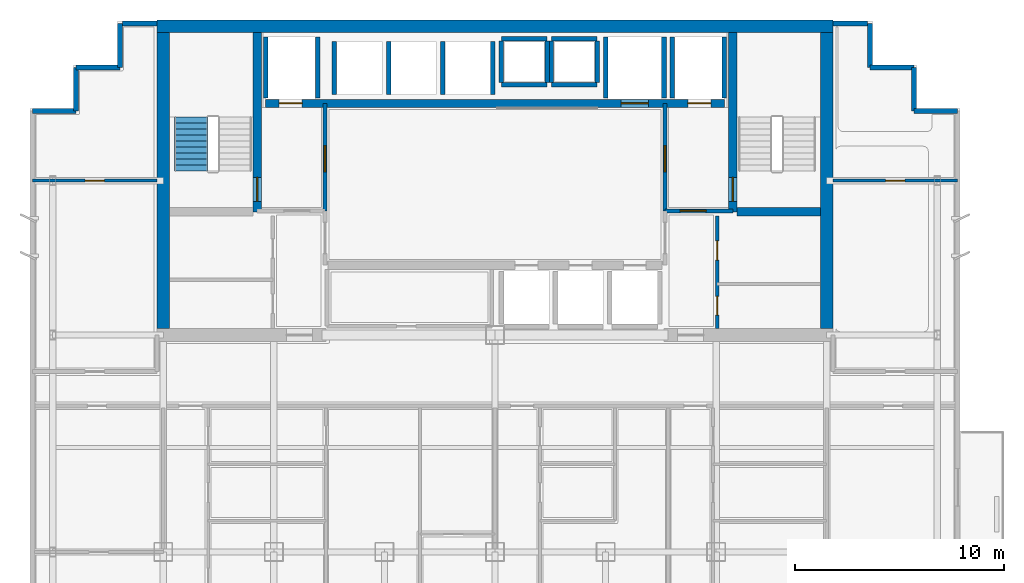
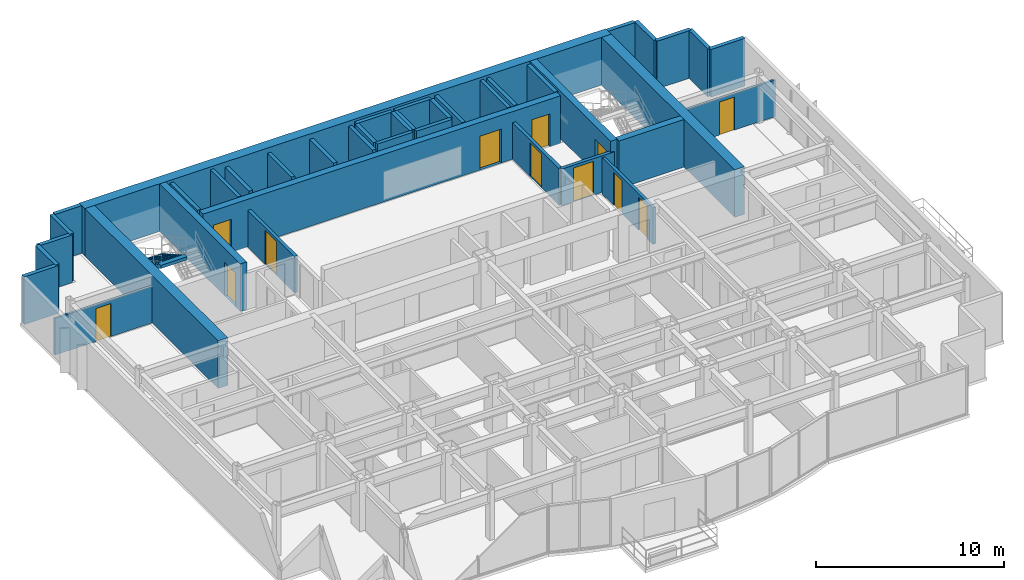
# One storey, part 8 of 11: 41 walls, 12 doors, 1 stair flight, 12 openings, 1 element without a shape of its own.
"""IFC4 building model written with IfcOpenShell, lengths in metres."""

from ifc_helpers import new_model, si_unit, direction, frame, frame_2d, origin, place, context, subcontext, project, spatial, polyline, rectangle, outline, extrude, material, layer, layer_set, type_object, element, fill, aggregate, save


model = new_model("IFC4")

# Units and contexts
model_context = context("Model", 3, precision=1e-05, world=origin(), true_north=direction((0.0, 1.0)))
body_context = subcontext(model_context, "Body", "Model", "MODEL_VIEW")
ifc_project = project(units=[si_unit("LENGTHUNIT", "METRE"), si_unit("AREAUNIT", "SQUARE_METRE"), si_unit("VOLUMEUNIT", "CUBIC_METRE"), si_unit("PLANEANGLEUNIT", "RADIAN"), si_unit("MASSUNIT", "GRAM", prefix="KILO")], contexts=[model_context])

# Site, building, storey
site_placement = place(None, origin())
site = spatial("IfcSite", under=ifc_project, at=site_placement, CompositionType="ELEMENT")
building_placement = place(site_placement, origin())
building = spatial("IfcBuilding", under=site, at=building_placement, Name="Qianlan Lanfeng Residences", CompositionType="ELEMENT")
storey_placement = place(building_placement, frame((0.0, 0.0, 149.10009765625)))
storey = spatial("IfcBuildingStorey", under=building, at=storey_placement, Name="L40", CompositionType="ELEMENT", Elevation=149.10009765625)

# Wall, opening, door
ifc_material_1 = material(Name="Concrete C56", Category="concrete")
ifc_layer_1 = layer(ifc_material_1, 0.39990234375)
ifc_layer_set_1 = layer_set([ifc_layer_1], Name="Concrete C56")
wall_type_1 = type_object("IfcWallType", Name="CW-RC-400", PredefinedType="SHEAR", material=ifc_layer_set_1)
wall_1_placement = place(storey_placement, frame((15.10009765625, 31.10009765625, 0.0), z_axis=(0.0, 0.0, 1.0), x_axis=(0.0, 1.0, 0.0)))
wall_1 = element("IfcWall", 1, at=wall_1_placement, inside=storey, type_object=wall_type_1, Name="L40 Core Shear Wall ST1E", PredefinedType="SHEAR", context=body_context, shape_type="SweptSolid", body=[
    extrude(rectangle(XDim=8.599853515625, YDim=0.39990234375, at=frame_2d((4.2998046875, 0.0))), origin(), (0.0, 0.0, 1.0), 3.099853515625),
])
opening_1_placement = place(wall_1_placement, frame((0.510009765625, 0.0, 0.0)))
opening_1 = element("IfcOpeningElement", 2, at=opening_1_placement, cuts=wall_1, Name="Opening L40-D07", PredefinedType="OPENING", context=body_context, shape_type="SweptSolid", body=[
    extrude(rectangle(XDim=1.14990234375, YDim=2.199951171875, at=frame_2d((0.574951171875, 1.10009765625))), frame((0.0, 0.2099609375, 0.0), z_axis=(0.0, -1.0, 0.0), x_axis=(1.0, 0.0, 0.0)), (0.0, 0.0, 1.0), 0.419921875),
])
ifc_material_2 = material(Name="Painted Galvanised Steel Fire Door", Category="steel")
door_type_1 = type_object("IfcDoorType", Name="DT-ST1", OperationType="NOTDEFINED", PredefinedType="DOOR", material=ifc_material_2)
door_1_placement = place(opening_1_placement, frame((1.14990234375, 0.0, 0.0), z_axis=(0.0, 0.0, 1.0), x_axis=(-1.0, 0.0, 0.0)))
door_1 = element("IfcDoor", 3, at=door_1_placement, inside=storey, type_object=door_type_1, Name="L40 Exit Stair ST-1 Door L40-D07 (DT-ST1)", OperationType="SINGLE_SWING_RIGHT", OverallHeight=2.199951171875, OverallWidth=1.14990234375, PredefinedType="DOOR", context=body_context, shape_type="SweptSolid", body=[
    extrude(rectangle(XDim=1.14990234375, YDim=2.199951171875, at=frame_2d((0.574951171875, 1.10009765625))), frame((0.0, 0.02490234375, 0.0), z_axis=(0.0, -1.0, 0.0), x_axis=(1.0, 0.0, 0.0)), (0.0, 0.0, 1.0), 0.050048828125),
])
fill(opening_1, door_1)

wall_2_placement = place(storey_placement, frame((37.89990234375, 31.10009765625, 0.0), z_axis=(0.0, 0.0, 1.0), x_axis=(0.0, 1.0, 0.0)))
wall_2 = element("IfcWall", 4, at=wall_2_placement, inside=storey, type_object=wall_type_1, Name="L40 Core Shear Wall ST2W", PredefinedType="SHEAR", context=body_context, shape_type="SweptSolid", body=[
    extrude(rectangle(XDim=8.599853515625, YDim=0.39990234375, at=frame_2d((4.2998046875, 0.0))), origin(), (0.0, 0.0, 1.0), 3.099853515625),
])
opening_2_placement = place(wall_2_placement, frame((0.510009765625, 0.0, 0.0)))
opening_2 = element("IfcOpeningElement", 5, at=opening_2_placement, cuts=wall_2, Name="Opening L40-D08", PredefinedType="OPENING", context=body_context, shape_type="SweptSolid", body=[
    extrude(rectangle(XDim=1.14990234375, YDim=2.199951171875, at=frame_2d((0.574951171875, 1.10009765625))), frame((0.0, 0.2099609375, 0.0), z_axis=(0.0, -1.0, 0.0), x_axis=(1.0, 0.0, 0.0)), (0.0, 0.0, 1.0), 0.419921875),
])
door_2_placement = place(opening_2_placement, origin())
door_2 = element("IfcDoor", 6, at=door_2_placement, inside=storey, type_object=door_type_1, Name="L40 Exit Stair ST-2 Door L40-D08 (DT-ST1)", OperationType="SINGLE_SWING_RIGHT", OverallHeight=2.199951171875, OverallWidth=1.14990234375, PredefinedType="DOOR", context=body_context, shape_type="SweptSolid", body=[
    extrude(rectangle(XDim=1.14990234375, YDim=2.199951171875, at=frame_2d((0.574951171875, 1.10009765625))), frame((0.0, 0.02490234375, 0.0), z_axis=(0.0, -1.0, 0.0), x_axis=(1.0, 0.0, 0.0)), (0.0, 0.0, 1.0), 0.050048828125),
])
fill(opening_2, door_2)

# Wall
wall_3_placement = place(storey_placement, frame((38.10009765625, 31.10009765625, 0.0), z_axis=(0.0, 0.0, 1.0), x_axis=(1.0, 0.0, 0.0)))
element("IfcWall", 7, at=wall_3_placement, inside=storey, type_object=wall_type_1, Name="L40 Core Shear Wall ST2S", PredefinedType="SHEAR", context=body_context, shape_type="SweptSolid", body=[
    extrude(rectangle(XDim=4.0, YDim=0.39990234375, at=frame_2d((2.0, 0.0))), origin(), (0.0, 0.0, 1.0), 3.099853515625),
])

# Wall, openings, doors
wall_4_placement = place(storey_placement, frame((15.5, 36.300048828125, 0.0), z_axis=(0.0, 0.0, 1.0), x_axis=(1.0, 0.0, 0.0)))
wall_4 = element("IfcWall", 8, at=wall_4_placement, inside=storey, type_object=wall_type_1, Name="L40 Core Shear Wall LBN", PredefinedType="SHEAR", context=body_context, shape_type="SweptSolid", body=[
    extrude(rectangle(XDim=22.0, YDim=0.39990234375, at=frame_2d((11.0, 0.0))), origin(), (0.0, 0.0, 1.0), 3.099853515625),
])
opening_3_placement = place(wall_4_placement, frame((0.64990234375, 0.0, 0.0)))
opening_3 = element("IfcOpeningElement", 9, at=opening_3_placement, cuts=wall_4, Name="Opening L40-LD-FFL-1", PredefinedType="OPENING", context=body_context, shape_type="SweptSolid", body=[
    extrude(rectangle(XDim=1.10009765625, YDim=2.14990234375, at=frame_2d((0.550048828125, 1.074951171875))), frame((0.0, 0.2099609375, 0.0), z_axis=(0.0, -1.0, 0.0), x_axis=(1.0, 0.0, 0.0)), (0.0, 0.0, 1.0), 0.419921875),
])
opening_4_placement = place(wall_4_placement, frame((20.25, 0.0, 0.0)))
opening_4 = element("IfcOpeningElement", 10, at=opening_4_placement, cuts=wall_4, Name="Opening L40-LD-FFL-2", PredefinedType="OPENING", context=body_context, shape_type="SweptSolid", body=[
    extrude(rectangle(XDim=1.10009765625, YDim=2.14990234375, at=frame_2d((0.550048828125, 1.074951171875))), frame((0.0, 0.2099609375, 0.0), z_axis=(0.0, -1.0, 0.0), x_axis=(1.0, 0.0, 0.0)), (0.0, 0.0, 1.0), 0.419921875),
])
opening_5_placement = place(wall_4_placement, frame((17.050048828125, 0.0, 0.0)))
opening_5 = element("IfcOpeningElement", 11, at=opening_5_placement, cuts=wall_4, Name="Opening L40-LD-SVL-1", PredefinedType="OPENING", context=body_context, shape_type="SweptSolid", body=[
    extrude(rectangle(XDim=1.300048828125, YDim=2.199951171875, at=frame_2d((0.64990234375, 1.10009765625))), frame((0.0, 0.2099609375, 0.0), z_axis=(0.0, -1.0, 0.0), x_axis=(1.0, 0.0, 0.0)), (0.0, 0.0, 1.0), 0.419921875),
])
ifc_material_3 = material(Name="Brushed Stainless Steel Sliding Lift Door", Category="steel")
door_type_2 = type_object("IfcDoorType", Name="LD-01", OperationType="NOTDEFINED", PredefinedType="DOOR", material=ifc_material_3)
door_3_placement = place(opening_3_placement, frame((1.10009765625, 0.0, 0.0), z_axis=(0.0, 0.0, 1.0), x_axis=(-1.0, 0.0, 0.0)))
door_3 = element("IfcDoor", 12, at=door_3_placement, inside=storey, type_object=door_type_2, Name="L40 Elevator FFL-1 Sliding Landing Door", OperationType="DOUBLE_DOOR_SLIDING", OverallHeight=2.14990234375, OverallWidth=1.10009765625, PredefinedType="DOOR", context=body_context, shape_type="SweptSolid", body=[
    extrude(rectangle(XDim=1.10009765625, YDim=2.14990234375, at=frame_2d((0.550048828125, 1.074951171875))), frame((0.0, 0.02490234375, 0.0), z_axis=(0.0, -1.0, 0.0), x_axis=(1.0, 0.0, 0.0)), (0.0, 0.0, 1.0), 0.050048828125),
])
fill(opening_3, door_3)
door_4_placement = place(opening_4_placement, frame((1.10009765625, 0.0, 0.0), z_axis=(0.0, 0.0, 1.0), x_axis=(-1.0, 0.0, 0.0)))
door_4 = element("IfcDoor", 13, at=door_4_placement, inside=storey, type_object=door_type_2, Name="L40 Elevator FFL-2 Sliding Landing Door", OperationType="DOUBLE_DOOR_SLIDING", OverallHeight=2.14990234375, OverallWidth=1.10009765625, PredefinedType="DOOR", context=body_context, shape_type="SweptSolid", body=[
    extrude(rectangle(XDim=1.10009765625, YDim=2.14990234375, at=frame_2d((0.550048828125, 1.074951171875))), frame((0.0, 0.02490234375, 0.0), z_axis=(0.0, -1.0, 0.0), x_axis=(1.0, 0.0, 0.0)), (0.0, 0.0, 1.0), 0.050048828125),
])
fill(opening_4, door_4)
door_type_3 = type_object("IfcDoorType", Name="LD-02", OperationType="NOTDEFINED", PredefinedType="DOOR", material=ifc_material_3)
door_5_placement = place(opening_5_placement, frame((1.300048828125, 0.0, 0.0), z_axis=(0.0, 0.0, 1.0), x_axis=(-1.0, 0.0, 0.0)))
door_5 = element("IfcDoor", 14, at=door_5_placement, inside=storey, type_object=door_type_3, Name="L40 Elevator SVL-1 Sliding Landing Door", OperationType="DOUBLE_DOOR_SLIDING", OverallHeight=2.199951171875, OverallWidth=1.300048828125, PredefinedType="DOOR", context=body_context, shape_type="SweptSolid", body=[
    extrude(rectangle(XDim=1.300048828125, YDim=2.199951171875, at=frame_2d((0.64990234375, 1.10009765625))), frame((0.0, 0.02490234375, 0.0), z_axis=(0.0, -1.0, 0.0), x_axis=(1.0, 0.0, 0.0)), (0.0, 0.0, 1.0), 0.050048828125),
])
fill(opening_5, door_5)

# Walls
ifc_layer_2 = layer(ifc_material_1, 0.60009765625)
ifc_layer_set_2 = layer_set([ifc_layer_2], Name="Concrete C56")
wall_type_2 = type_object("IfcWallType", Name="CW-RC-600", PredefinedType="SHEAR", material=ifc_layer_set_2)
wall_5_placement = place(storey_placement, frame((10.300048828125, 40.0, 0.0), z_axis=(0.0, 0.0, 1.0), x_axis=(1.0, 0.0, 0.0)))
element("IfcWall", 15, at=wall_5_placement, inside=storey, type_object=wall_type_2, Name="L40 Core Shear Wall N", PredefinedType="SHEAR", context=body_context, shape_type="SweptSolid", body=[
    extrude(rectangle(XDim=32.39990234375, YDim=0.60009765625, at=frame_2d((16.199951171875, 0.0))), origin(), (0.0, 0.0, 1.0), 3.099853515625),
])
for number, where, z_axis, x_axis, name in (
    (16, (10.60009765625, 25.5, 0.0), (0.0, 0.0, 1.0), (0.0, 1.0, 0.0), "L40 Core Shear Wall W"),
    (17, (42.39990234375, 25.5, 0.0), (0.0, 0.0, 1.0), (0.0, 1.0, 0.0), "L40 Core Shear Wall E"),
):
    element("IfcWall", number, at=place(storey_placement, frame(where, z_axis=z_axis, x_axis=x_axis)), inside=storey, type_object=wall_type_2, Name=name, PredefinedType="SHEAR", context=body_context, shape_type="SweptSolid", body=[
        extrude(rectangle(XDim=14.199951171875, YDim=0.60009765625, at=frame_2d((7.10009765625, 0.0))), origin(), (0.0, 0.0, 1.0), 3.099853515625),
    ])
ifc_material_4 = material(Name="Concrete C42", Category="concrete")
ifc_layer_3 = layer(ifc_material_4, 0.239990234375)
ifc_layer_set_3 = layer_set([ifc_layer_3], Name="Concrete C42")
wall_type_3 = type_object("IfcWallType", Name="EW-240", PredefinedType="SOLIDWALL", material=ifc_layer_set_3)
wall_6_placement = place(storey_placement, frame((48.679931640625, 35.929931640625, 0.0), z_axis=(0.0, 0.0, 1.0), x_axis=(-1.0, 0.0, 0.0)))
element("IfcWall", 18, at=wall_6_placement, inside=storey, type_object=wall_type_3, Name="L40 Exterior Facade Spandrel Wall 11", PredefinedType="SOLIDWALL", context=body_context, shape_type="SweptSolid", body=[
    extrude(rectangle(XDim=2.099853515625, YDim=0.239990234375, at=frame_2d((1.0498046875, 0.0))), origin(), (0.0, 0.0, 1.0), 3.099853515625),
])
for number, where, z_axis, x_axis, name in (
    (19, (46.580078125, 35.929931640625, 0.0), (0.0, 0.0, 1.0), (0.0, 1.0, 0.0), "L40 Exterior Facade Spandrel Wall 12"),
    (20, (46.580078125, 38.030029296875, 0.0), (0.0, 0.0, 1.0), (-1.0, 0.0, 0.0), "L40 Exterior Facade Spandrel Wall 13"),
):
    element("IfcWall", number, at=place(storey_placement, frame(where, z_axis=z_axis, x_axis=x_axis)), inside=storey, type_object=wall_type_3, Name=name, PredefinedType="SOLIDWALL", context=body_context, shape_type="SweptSolid", body=[
        extrude(rectangle(XDim=2.10009765625, YDim=0.239990234375, at=frame_2d((1.050048828125, 0.0))), origin(), (0.0, 0.0, 1.0), 3.099853515625),
    ])
wall_7_placement = place(storey_placement, frame((44.47998046875, 38.030029296875, 0.0), z_axis=(0.0, 0.0, 1.0), x_axis=(0.0, 1.0, 0.0)))
element("IfcWall", 21, at=wall_7_placement, inside=storey, type_object=wall_type_3, Name="L40 Exterior Facade Spandrel Wall 14", PredefinedType="SOLIDWALL", context=body_context, shape_type="SweptSolid", body=[
    extrude(rectangle(XDim=2.099853515625, YDim=0.239990234375, at=frame_2d((1.0498046875, 0.0))), origin(), (0.0, 0.0, 1.0), 3.099853515625),
])
for number, where, z_axis, x_axis, name in (
    (22, (44.35009765625, 40.1298828125, 0.0), (0.0, 0.0, 1.0), (-1.0, 0.0, 0.0), "L40 North Wing Exterior Wall E"),
    (23, (10.300048828125, 40.1298828125, 0.0), (0.0, 0.0, 1.0), (-1.0, 0.0, 0.0), "L40 North Wing Exterior Wall W"),
):
    element("IfcWall", number, at=place(storey_placement, frame(where, z_axis=z_axis, x_axis=x_axis)), inside=storey, type_object=wall_type_3, Name=name, PredefinedType="SOLIDWALL", context=body_context, shape_type="SweptSolid", body=[
        extrude(rectangle(XDim=1.650146484375, YDim=0.239990234375, at=frame_2d((0.8251953125, 0.0))), origin(), (0.0, 0.0, 1.0), 3.099853515625),
    ])
wall_8_placement = place(storey_placement, frame((8.52001953125, 40.1298828125, 0.0), z_axis=(0.0, 0.0, 1.0), x_axis=(0.0, -1.0, 0.0)))
element("IfcWall", 24, at=wall_8_placement, inside=storey, type_object=wall_type_3, Name="L40 Exterior Facade Spandrel Wall 17", PredefinedType="SOLIDWALL", context=body_context, shape_type="SweptSolid", body=[
    extrude(rectangle(XDim=2.099853515625, YDim=0.239990234375, at=frame_2d((1.0498046875, 0.0))), origin(), (0.0, 0.0, 1.0), 3.099853515625),
])
for number, where, z_axis, x_axis, name in (
    (25, (8.52001953125, 38.030029296875, 0.0), (0.0, 0.0, 1.0), (-1.0, 0.0, 0.0), "L40 Exterior Facade Spandrel Wall 18"),
    (26, (6.419921875, 38.030029296875, 0.0), (0.0, 0.0, 1.0), (0.0, -1.0, 0.0), "L40 Exterior Facade Spandrel Wall 19"),
):
    element("IfcWall", number, at=place(storey_placement, frame(where, z_axis=z_axis, x_axis=x_axis)), inside=storey, type_object=wall_type_3, Name=name, PredefinedType="SOLIDWALL", context=body_context, shape_type="SweptSolid", body=[
        extrude(rectangle(XDim=2.10009765625, YDim=0.239990234375, at=frame_2d((1.050048828125, 0.0))), origin(), (0.0, 0.0, 1.0), 3.099853515625),
    ])
wall_9_placement = place(storey_placement, frame((6.419921875, 35.929931640625, 0.0), z_axis=(0.0, 0.0, 1.0), x_axis=(-1.0, 0.0, 0.0)))
element("IfcWall", 27, at=wall_9_placement, inside=storey, type_object=wall_type_3, Name="L40 Exterior Facade Spandrel Wall 20", PredefinedType="SOLIDWALL", context=body_context, shape_type="SweptSolid", body=[
    extrude(rectangle(XDim=2.099853515625, YDim=0.239990234375, at=frame_2d((1.0498046875, 0.0))), origin(), (0.0, 0.0, 1.0), 3.099853515625),
])

# Wall, opening, door
ifc_material_5 = material(Name="Moisture-Resistant Gypsum Partition 135 mm")
ifc_layer_4 = layer(ifc_material_5, 0.135009765625)
ifc_layer_set_4 = layer_set([ifc_layer_4], Name="Moisture-Resistant Gypsum Partition 135 mm")
wall_type_4 = type_object("IfcWallType", Name="PW-135", PredefinedType="PARTITIONING", material=ifc_layer_set_4)
wall_10_placement = place(storey_placement, frame((4.320068359375, 32.60009765625, 0.0), z_axis=(0.0, 0.0, 1.0), x_axis=(1.0, 0.0, 0.0)))
wall_10 = element("IfcWall", 28, at=wall_10_placement, inside=storey, type_object=wall_type_4, Name="L40 WW North Wing Wall", PredefinedType="PARTITIONING", context=body_context, shape_type="SweptSolid", body=[
    extrude(rectangle(XDim=5.97998046875, YDim=0.135009765625, at=frame_2d((2.989990234375, 0.0))), origin(), (0.0, 0.0, 1.0), 2.3798828125),
])
opening_6_placement = place(wall_10_placement, frame((2.530029296875, 0.0, 0.0)))
opening_6 = element("IfcOpeningElement", 29, at=opening_6_placement, cuts=wall_10, Name="Opening L40-D40", PredefinedType="OPENING", context=body_context, shape_type="SweptSolid", body=[
    extrude(rectangle(XDim=0.919921875, YDim=2.14990234375, at=frame_2d((0.4599609375, 1.074951171875))), frame((0.0, 0.07763671875, 0.0), z_axis=(0.0, -1.0, 0.0), x_axis=(1.0, 0.0, 0.0)), (0.0, 0.0, 1.0), 0.155029296875),
])
ifc_material_6 = material(Name="Glazed Timber Kitchen/Study Door", Category="wood")
door_type_4 = type_object("IfcDoorType", Name="DT-INT", OperationType="NOTDEFINED", PredefinedType="DOOR", material=ifc_material_6)
door_6_placement = place(opening_6_placement, origin())
door_6 = element("IfcDoor", 30, at=door_6_placement, inside=storey, type_object=door_type_4, Name="L40 WW Inner Salon Door L40-D40 (DT-INT)", OperationType="SINGLE_SWING_RIGHT", OverallHeight=2.14990234375, OverallWidth=0.919921875, PredefinedType="DOOR", context=body_context, shape_type="SweptSolid", body=[
    extrude(rectangle(XDim=0.919921875, YDim=2.14990234375, at=frame_2d((0.4599609375, 1.074951171875))), frame((0.0, 0.02490234375, 0.0), z_axis=(0.0, -1.0, 0.0), x_axis=(1.0, 0.0, 0.0)), (0.0, 0.0, 1.0), 0.050048828125),
])
fill(opening_6, door_6)

wall_11_placement = place(storey_placement, frame((42.699951171875, 32.60009765625, 0.0), z_axis=(0.0, 0.0, 1.0), x_axis=(1.0, 0.0, 0.0)))
wall_11 = element("IfcWall", 31, at=wall_11_placement, inside=storey, type_object=wall_type_4, Name="L40 EW North Wing Wall", PredefinedType="PARTITIONING", context=body_context, shape_type="SweptSolid", body=[
    extrude(rectangle(XDim=5.97998046875, YDim=0.135009765625, at=frame_2d((2.989990234375, 0.0))), origin(), (0.0, 0.0, 1.0), 2.3798828125),
])
opening_7_placement = place(wall_11_placement, frame((2.530029296875, 0.0, 0.0)))
opening_7 = element("IfcOpeningElement", 32, at=opening_7_placement, cuts=wall_11, Name="Opening L40-D42", PredefinedType="OPENING", context=body_context, shape_type="SweptSolid", body=[
    extrude(rectangle(XDim=0.919921875, YDim=2.14990234375, at=frame_2d((0.4599609375, 1.074951171875))), frame((0.0, 0.07763671875, 0.0), z_axis=(0.0, -1.0, 0.0), x_axis=(1.0, 0.0, 0.0)), (0.0, 0.0, 1.0), 0.155029296875),
])
door_7_placement = place(opening_7_placement, origin())
door_7 = element("IfcDoor", 33, at=door_7_placement, inside=storey, type_object=door_type_4, Name="L40 EW Inner Salon Door L40-D42 (DT-INT)", OperationType="SINGLE_SWING_RIGHT", OverallHeight=2.14990234375, OverallWidth=0.919921875, PredefinedType="DOOR", context=body_context, shape_type="SweptSolid", body=[
    extrude(rectangle(XDim=0.919921875, YDim=2.14990234375, at=frame_2d((0.4599609375, 1.074951171875))), frame((0.0, 0.02490234375, 0.0), z_axis=(0.0, -1.0, 0.0), x_axis=(1.0, 0.0, 0.0)), (0.0, 0.0, 1.0), 0.050048828125),
])
fill(opening_7, door_7)

# Wall, openings, doors
ifc_material_7 = material(Name="Double-Layer Acoustic Gypsum Stud Wall 180 mm")
ifc_layer_5 = layer(ifc_material_7, 0.179931640625)
ifc_layer_set_5 = layer_set([ifc_layer_5], Name="Double-Layer Acoustic Gypsum Stud Wall 180 mm")
wall_type_5 = type_object("IfcWallType", Name="PW-180", PredefinedType="PARTITIONING", material=ifc_layer_set_5)
wall_12_placement = place(storey_placement, frame((37.14990234375, 25.5, 0.0), z_axis=(0.0, 0.0, 1.0), x_axis=(0.0, 1.0, 0.0)))
wall_12 = element("IfcWall", 34, at=wall_12_placement, inside=storey, type_object=wall_type_5, Name="L40 Core East Service Room Wall", PredefinedType="PARTITIONING", context=body_context, shape_type="SweptSolid", body=[
    extrude(rectangle(XDim=5.39990234375, YDim=0.179931640625, at=frame_2d((2.699951171875, 0.0))), origin(), (0.0, 0.0, 1.0), 2.3798828125),
])
opening_8_placement = place(wall_12_placement, frame((0.64990234375, 0.0, 0.0)))
opening_8 = element("IfcOpeningElement", 35, at=opening_8_placement, cuts=wall_12, Name="Opening L40-D11", PredefinedType="OPENING", context=body_context, shape_type="SweptSolid", body=[
    extrude(rectangle(XDim=0.89990234375, YDim=2.14990234375, at=frame_2d((0.449951171875, 1.074951171875))), frame((0.0, 0.10009765625, 0.0), z_axis=(0.0, -1.0, 0.0), x_axis=(1.0, 0.0, 0.0)), (0.0, 0.0, 1.0), 0.199951171875),
])
opening_9_placement = place(wall_12_placement, frame((3.2900390625, 0.0, 0.0)))
opening_9 = element("IfcOpeningElement", 36, at=opening_9_placement, cuts=wall_12, Name="Opening L40-D12", PredefinedType="OPENING", context=body_context, shape_type="SweptSolid", body=[
    extrude(rectangle(XDim=0.919921875, YDim=2.14990234375, at=frame_2d((0.4599609375, 1.074951171875))), frame((0.0, 0.10009765625, 0.0), z_axis=(0.0, -1.0, 0.0), x_axis=(1.0, 0.0, 0.0)), (0.0, 0.0, 1.0), 0.199951171875),
])
door_8_placement = place(opening_9_placement, origin())
door_8 = element("IfcDoor", 37, at=door_8_placement, inside=storey, type_object=door_type_4, Name="L40 Refuse Room Door L40-D12 (DT-INT)", OperationType="SINGLE_SWING_RIGHT", OverallHeight=2.14990234375, OverallWidth=0.919921875, PredefinedType="DOOR", context=body_context, shape_type="SweptSolid", body=[
    extrude(rectangle(XDim=0.919921875, YDim=2.14990234375, at=frame_2d((0.4599609375, 1.074951171875))), frame((0.0, 0.02490234375, 0.0), z_axis=(0.0, -1.0, 0.0), x_axis=(1.0, 0.0, 0.0)), (0.0, 0.0, 1.0), 0.050048828125),
])
fill(opening_9, door_8)
ifc_material_8 = material(Name="Moisture-Resistant Timber Leaf", Category="wood")
door_type_5 = type_object("IfcDoorType", Name="DT-WC", OperationType="NOTDEFINED", PredefinedType="DOOR", material=ifc_material_8)
door_9_placement = place(opening_8_placement, origin())
door_9 = element("IfcDoor", 38, at=door_9_placement, inside=storey, type_object=door_type_5, Name="L40 Core WC Door L40-D11 (DT-WC)", OperationType="SINGLE_SWING_LEFT", OverallHeight=2.14990234375, OverallWidth=0.89990234375, PredefinedType="DOOR", context=body_context, shape_type="SweptSolid", body=[
    extrude(rectangle(XDim=0.89990234375, YDim=2.14990234375, at=frame_2d((0.449951171875, 1.074951171875))), frame((0.0, 0.02490234375, 0.0), z_axis=(0.0, -1.0, 0.0), x_axis=(1.0, 0.0, 0.0)), (0.0, 0.0, 1.0), 0.050048828125),
])
fill(opening_8, door_9)

# Wall, opening, door
ifc_material_9 = material(Name="Autoclaved Aerated Concrete Blockwork 200 mm", Category="masonry")
ifc_layer_6 = layer(ifc_material_9, 0.199951171875)
ifc_layer_set_6 = layer_set([ifc_layer_6], Name="Autoclaved Aerated Concrete Blockwork 200 mm")
wall_type_6 = type_object("IfcWallType", Name="PW-200", PredefinedType="PARTITIONING", material=ifc_layer_set_6)
wall_13_placement = place(storey_placement, frame((18.35009765625, 31.14990234375, 0.0), z_axis=(0.0, 0.0, 1.0), x_axis=(0.0, 1.0, 0.0)))
wall_13 = element("IfcWall", 39, at=wall_13_placement, inside=storey, type_object=wall_type_6, Name="L40 Firefighting Lobby 1 East Wall", PredefinedType="PARTITIONING", context=body_context, shape_type="SweptSolid", body=[
    extrude(rectangle(XDim=5.150146484375, YDim=0.199951171875, at=frame_2d((2.5751953125, 0.0))), origin(), (0.0, 0.0, 1.0), 2.3798828125),
])
opening_10_placement = place(wall_13_placement, frame((1.875, 0.0, 0.0)))
opening_10 = element("IfcOpeningElement", 40, at=opening_10_placement, cuts=wall_13, Name="Opening L40-D04", PredefinedType="OPENING", context=body_context, shape_type="SweptSolid", body=[
    extrude(rectangle(XDim=1.25, YDim=2.199951171875, at=frame_2d((0.625, 1.10009765625))), frame((0.0, 0.10986328125, 0.0), z_axis=(0.0, -1.0, 0.0), x_axis=(1.0, 0.0, 0.0)), (0.0, 0.0, 1.0), 0.219970703125),
])
door_type_6 = type_object("IfcDoorType", Name="DT-FFL", OperationType="NOTDEFINED", PredefinedType="DOOR", material=ifc_material_2)
door_10_placement = place(opening_10_placement, origin())
door_10 = element("IfcDoor", 41, at=door_10_placement, inside=storey, type_object=door_type_6, Name="L40 Firefighting Lobby 1 Lift Lobby Door L40-D04 (DT-FFL)", OperationType="SINGLE_SWING_RIGHT", OverallHeight=2.199951171875, OverallWidth=1.25, PredefinedType="DOOR", context=body_context, shape_type="SweptSolid", body=[
    extrude(rectangle(XDim=1.25, YDim=2.199951171875, at=frame_2d((0.625, 1.10009765625))), frame((0.0, 0.02490234375, 0.0), z_axis=(0.0, -1.0, 0.0), x_axis=(1.0, 0.0, 0.0)), (0.0, 0.0, 1.0), 0.050048828125),
])
fill(opening_10, door_10)

wall_14_placement = place(storey_placement, frame((34.64990234375, 31.14990234375, 0.0), z_axis=(0.0, 0.0, 1.0), x_axis=(1.0, 0.0, 0.0)))
wall_14 = element("IfcWall", 42, at=wall_14_placement, inside=storey, type_object=wall_type_6, Name="L40 Firefighting Lobby 2 South Wall", PredefinedType="PARTITIONING", context=body_context, shape_type="SweptSolid", body=[
    extrude(rectangle(XDim=3.25, YDim=0.199951171875, at=frame_2d((1.625, 0.0))), origin(), (0.0, 0.0, 1.0), 2.3798828125),
])
opening_11_placement = place(wall_14_placement, frame((0.72509765625, 0.0, 0.0)))
opening_11 = element("IfcOpeningElement", 43, at=opening_11_placement, cuts=wall_14, Name="Opening L40-D05", PredefinedType="OPENING", context=body_context, shape_type="SweptSolid", body=[
    extrude(rectangle(XDim=1.25, YDim=2.199951171875, at=frame_2d((0.625, 1.10009765625))), frame((0.0, 0.10986328125, 0.0), z_axis=(0.0, -1.0, 0.0), x_axis=(1.0, 0.0, 0.0)), (0.0, 0.0, 1.0), 0.219970703125),
])
door_11_placement = place(opening_11_placement, origin())
door_11 = element("IfcDoor", 44, at=door_11_placement, inside=storey, type_object=door_type_6, Name="L40 Firefighting Lobby 2 Entry Door L40-D05 (DT-FFL)", OperationType="SINGLE_SWING_RIGHT", OverallHeight=2.199951171875, OverallWidth=1.25, PredefinedType="DOOR", context=body_context, shape_type="SweptSolid", body=[
    extrude(rectangle(XDim=1.25, YDim=2.199951171875, at=frame_2d((0.625, 1.10009765625))), frame((0.0, 0.02490234375, 0.0), z_axis=(0.0, -1.0, 0.0), x_axis=(1.0, 0.0, 0.0)), (0.0, 0.0, 1.0), 0.050048828125),
])
fill(opening_11, door_11)

wall_15_placement = place(storey_placement, frame((34.64990234375, 31.14990234375, 0.0), z_axis=(0.0, 0.0, 1.0), x_axis=(0.0, 1.0, 0.0)))
wall_15 = element("IfcWall", 45, at=wall_15_placement, inside=storey, type_object=wall_type_6, Name="L40 Firefighting Lobby 2 West Wall", PredefinedType="PARTITIONING", context=body_context, shape_type="SweptSolid", body=[
    extrude(rectangle(XDim=5.150146484375, YDim=0.199951171875, at=frame_2d((2.5751953125, 0.0))), origin(), (0.0, 0.0, 1.0), 2.3798828125),
])
opening_12_placement = place(wall_15_placement, frame((1.875, 0.0, 0.0)))
opening_12 = element("IfcOpeningElement", 46, at=opening_12_placement, cuts=wall_15, Name="Opening L40-D06", PredefinedType="OPENING", context=body_context, shape_type="SweptSolid", body=[
    extrude(rectangle(XDim=1.25, YDim=2.199951171875, at=frame_2d((0.625, 1.10009765625))), frame((0.0, 0.10986328125, 0.0), z_axis=(0.0, -1.0, 0.0), x_axis=(1.0, 0.0, 0.0)), (0.0, 0.0, 1.0), 0.219970703125),
])
door_12_placement = place(opening_12_placement, origin())
door_12 = element("IfcDoor", 47, at=door_12_placement, inside=storey, type_object=door_type_6, Name="L40 Firefighting Lobby 2 Lift Lobby Door L40-D06 (DT-FFL)", OperationType="SINGLE_SWING_RIGHT", OverallHeight=2.199951171875, OverallWidth=1.25, PredefinedType="DOOR", context=body_context, shape_type="SweptSolid", body=[
    extrude(rectangle(XDim=1.25, YDim=2.199951171875, at=frame_2d((0.625, 1.10009765625))), frame((0.0, 0.02490234375, 0.0), z_axis=(0.0, -1.0, 0.0), x_axis=(1.0, 0.0, 0.0)), (0.0, 0.0, 1.0), 0.050048828125),
])
fill(opening_12, door_12)

# Walls
ifc_material_10 = material(Name="Concrete C49", Category="concrete")
ifc_layer_7 = layer(ifc_material_10, 0.219970703125)
ifc_layer_set_7 = layer_set([ifc_layer_7], Name="Concrete C49")
wall_type_7 = type_object("IfcWallType", Name="SHW-220", PredefinedType="SOLIDWALL", material=ifc_layer_set_7)
for number, where, z_axis, x_axis, name in (
    (48, (15.52001953125, 36.550048828125, 0.0), (0.0, 0.0, 1.0), (0.0, 1.0, 0.0), "L40 Lift FFL-1 Shaft Wall W"),
    (49, (18.0, 36.550048828125, 0.0), (0.0, 0.0, 1.0), (0.0, 1.0, 0.0), "L40 Lift FFL-1 Shaft Wall E"),
    (50, (35.0, 36.550048828125, 0.0), (0.0, 0.0, 1.0), (0.0, 1.0, 0.0), "L40 Lift FFL-2 Shaft Wall W"),
    (51, (37.47998046875, 36.550048828125, 0.0), (0.0, 0.0, 1.0), (0.0, 1.0, 0.0), "L40 Lift FFL-2 Shaft Wall E"),
    (52, (31.800048828125, 36.550048828125, 0.0), (0.0, 0.0, 1.0), (0.0, 1.0, 0.0), "L40 Lift SVL-1 Shaft Wall W"),
    (53, (34.60009765625, 36.550048828125, 0.0), (0.0, 0.0, 1.0), (0.0, 1.0, 0.0), "L40 Lift SVL-1 Shaft Wall E"),
):
    element("IfcWall", number, at=place(storey_placement, frame(where, z_axis=z_axis, x_axis=x_axis)), inside=storey, type_object=wall_type_7, Name=name, PredefinedType="SOLIDWALL", context=body_context, shape_type="SweptSolid", body=[
        extrude(rectangle(XDim=2.929931640625, YDim=0.219970703125, at=frame_2d((1.46484375, 0.0))), origin(), (0.0, 0.0, 1.0), 3.099853515625),
    ])
for number, where, z_axis, x_axis, name in (
    (54, (18.800048828125, 36.719970703125, 0.0), (0.0, 0.0, 1.0), (0.0, 1.0, 0.0), "L40 Lift PL-H1 Shaft Wall W"),
    (55, (21.39990234375, 36.719970703125, 0.0), (0.0, 0.0, 1.0), (0.0, 1.0, 0.0), "L40 Lift PL-H2 Shaft Wall W"),
    (56, (24.0, 36.719970703125, 0.0), (0.0, 0.0, 1.0), (0.0, 1.0, 0.0), "L40 Lift PL-H3 Shaft Wall W"),
    (57, (26.39990234375, 36.719970703125, 0.0), (0.0, 0.0, 1.0), (0.0, 1.0, 0.0), "L40 Lift PL-H3 Shaft Wall E"),
):
    element("IfcWall", number, at=place(storey_placement, frame(where, z_axis=z_axis, x_axis=x_axis)), inside=storey, type_object=wall_type_7, Name=name, PredefinedType="SOLIDWALL", context=body_context, shape_type="SweptSolid", body=[
        extrude(rectangle(XDim=2.56005859375, YDim=0.219970703125, at=frame_2d((1.280029296875, 0.0))), origin(), (0.0, 0.0, 1.0), 3.099853515625),
    ])
for number, where, z_axis, x_axis, name in (
    (58, (26.800048828125, 37.31005859375, 0.0), (0.0, 0.0, 1.0), (0.0, 1.0, 0.0), "L40 MEP Riser MEP-R1 Shaft Wall W"),
    (59, (29.0, 37.31005859375, 0.0), (0.0, 0.0, 1.0), (0.0, 1.0, 0.0), "L40 MEP Riser MEP-R1 Shaft Wall E"),
):
    element("IfcWall", number, at=place(storey_placement, frame(where, z_axis=z_axis, x_axis=x_axis)), inside=storey, type_object=wall_type_7, Name=name, PredefinedType="SOLIDWALL", context=body_context, shape_type="SweptSolid", body=[
        extrude(rectangle(XDim=1.97998046875, YDim=0.219970703125, at=frame_2d((0.989990234375, 0.0))), origin(), (0.0, 0.0, 1.0), 3.099853515625),
    ])
for number, where, z_axis, x_axis, name in (
    (60, (26.800048828125, 39.39990234375, 0.0), (0.0, 0.0, 1.0), (1.0, 0.0, 0.0), "L40 MEP Riser MEP-R1 Shaft Wall N"),
    (61, (26.800048828125, 37.199951171875, 0.0), (0.0, 0.0, 1.0), (1.0, 0.0, 0.0), "L40 MEP Riser MEP-R1 Shaft Wall S"),
):
    element("IfcWall", number, at=place(storey_placement, frame(where, z_axis=z_axis, x_axis=x_axis)), inside=storey, type_object=wall_type_7, Name=name, PredefinedType="SOLIDWALL", context=body_context, shape_type="SweptSolid", body=[
        extrude(rectangle(XDim=2.199951171875, YDim=0.219970703125, at=frame_2d((1.10009765625, 0.0))), origin(), (0.0, 0.0, 1.0), 3.099853515625),
    ])
for number, where, z_axis, x_axis, name in (
    (62, (29.199951171875, 37.31005859375, 0.0), (0.0, 0.0, 1.0), (0.0, 1.0, 0.0), "L40 MEP Riser MEP-R2 Shaft Wall W"),
    (63, (31.39990234375, 37.31005859375, 0.0), (0.0, 0.0, 1.0), (0.0, 1.0, 0.0), "L40 MEP Riser MEP-R2 Shaft Wall E"),
):
    element("IfcWall", number, at=place(storey_placement, frame(where, z_axis=z_axis, x_axis=x_axis)), inside=storey, type_object=wall_type_7, Name=name, PredefinedType="SOLIDWALL", context=body_context, shape_type="SweptSolid", body=[
        extrude(rectangle(XDim=1.97998046875, YDim=0.219970703125, at=frame_2d((0.989990234375, 0.0))), origin(), (0.0, 0.0, 1.0), 3.099853515625),
    ])
for number, where, z_axis, x_axis, name in (
    (64, (29.199951171875, 39.39990234375, 0.0), (0.0, 0.0, 1.0), (1.0, 0.0, 0.0), "L40 MEP Riser MEP-R2 Shaft Wall N"),
    (65, (29.199951171875, 37.199951171875, 0.0), (0.0, 0.0, 1.0), (1.0, 0.0, 0.0), "L40 MEP Riser MEP-R2 Shaft Wall S"),
):
    element("IfcWall", number, at=place(storey_placement, frame(where, z_axis=z_axis, x_axis=x_axis)), inside=storey, type_object=wall_type_7, Name=name, PredefinedType="SOLIDWALL", context=body_context, shape_type="SweptSolid", body=[
        extrude(rectangle(XDim=2.199951171875, YDim=0.219970703125, at=frame_2d((1.10009765625, 0.0))), origin(), (0.0, 0.0, 1.0), 3.099853515625),
    ])

# Stair, stair flight
stair_type = type_object("IfcStairType", Name="STR-MAIN", PredefinedType="HALF_TURN_STAIR", material=ifc_material_4)
stair_placement = place(storey_placement, origin())
stair = element("IfcStair", 66, at=stair_placement, inside=storey, type_object=stair_type, Name="L40 Exit Stair ST-1", PredefinedType="HALF_TURN_STAIR")
stair_flight_type = type_object("IfcStairFlightType", Name="FLT-1720", PredefinedType="STRAIGHT", material=ifc_material_4)
stair_flight_placement = place(storey_placement, frame((11.93994140625, 35.659912109375, 1.64990234375), z_axis=(0.0, 0.0, 1.0), x_axis=(0.0, -1.0, 0.0)))
stair_flight = element("IfcStairFlight", 67, at=stair_flight_placement, type_object=stair_flight_type, Name="ST-1 flight 2", NumberOfRisers=10, NumberOfTreads=9, PredefinedType="STRAIGHT", RiserHeight=0.165, TreadLength=0.29, context=body_context, shape_type="SweptSolid", body=[
    extrude(outline(polyline([(0.0, 0.0), (0.0, 0.1650390625), (0.2900390625, 0.1650390625), (0.2900390625, 0.330078125), (0.580078125, 0.330078125), (0.580078125, 0.4951171875), (0.8701171875, 0.4951171875), (0.8701171875, 0.659912109375), (1.159912109375, 0.659912109375), (1.159912109375, 0.824951171875), (1.449951171875, 0.824951171875), (1.449951171875, 0.989990234375), (1.739990234375, 0.989990234375), (1.739990234375, 1.155029296875), (2.030029296875, 1.155029296875), (2.030029296875, 1.320068359375), (2.320068359375, 1.320068359375), (2.320068359375, 1.485107421875), (2.610107421875, 1.485107421875), (2.610107421875, 1.64990234375), (2.610107421875, 1.278076171875), (0.36376953125, 0.0), (0.0, 0.0)])), frame((0.0, 0.800048828125, 0.0), z_axis=(0.0, -1.0, 0.0), x_axis=(1.0, 0.0, 0.0)), (0.0, 0.0, 1.0), 1.60009765625),
])
aggregate(stair, [stair_flight])

save(model, "model.ifc")
